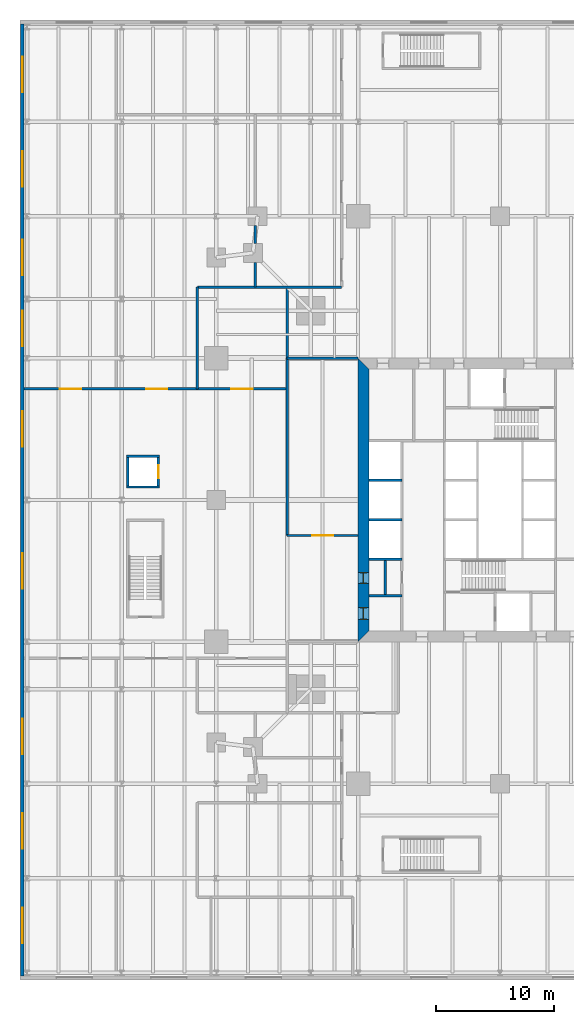
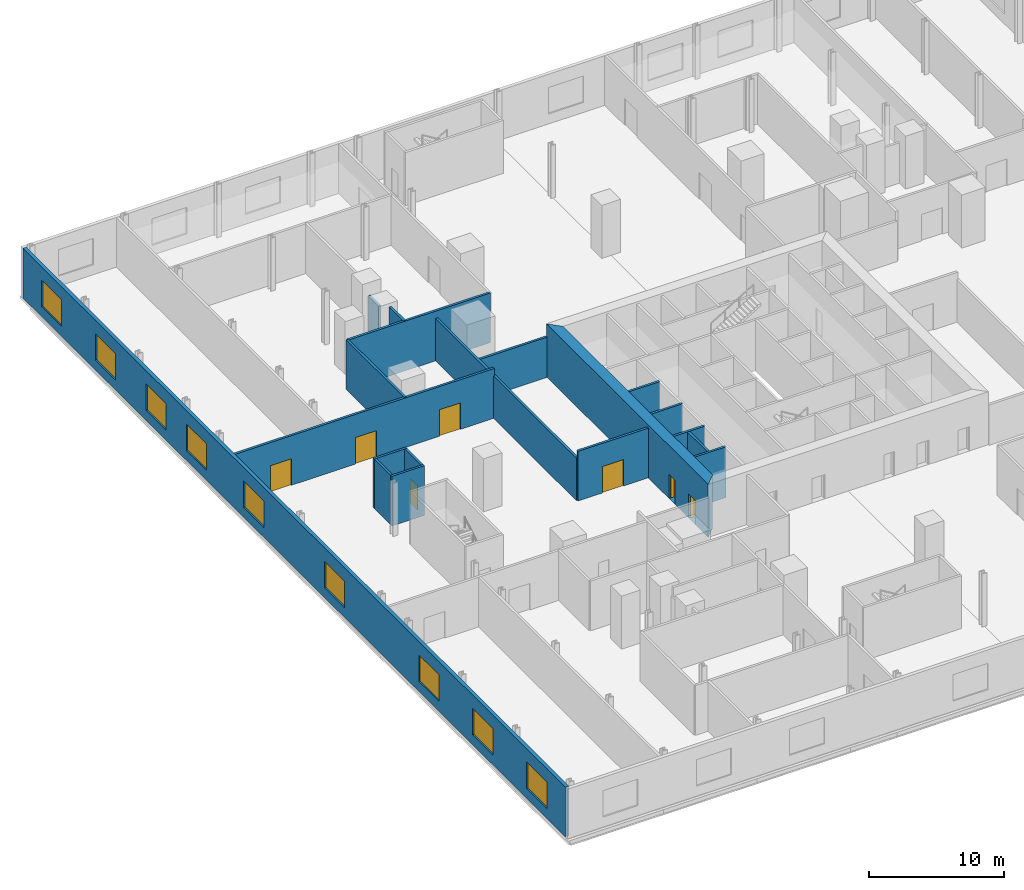
# One storey, part 11 of 16: 19 walls, 9 windows, 7 doors, 16 openings.
"""IFC4 building model written with IfcOpenShell, lengths in metres."""

import ifcopenshell
import ifcopenshell.guid

model = None  # the IFC model being written
_history = None  # IfcOwnerHistory: only IFC2X3 demands one
_inside = {}  # id of a spatial element -> (the spatial element, [elements in it])
_under = {}  # id of a project, library or spatial element -> (it, [spatial elements below it])
_declared = {}  # id of a project -> (the project, [libraries it declares])
_typed = {}  # id of a type object -> (the type object, [elements of that type])
_made_of = {}  # id of a material, layer set ... -> (it, [elements and type objects made of it])


def new_model(schema):
    """Start an empty IFC model of exactly this schema.

    Asked for "IFC4X3", IfcOpenShell would pick the latest addendum, in which some entities
    have other attributes; the version numbers below select the first issue.
    IFC2X3 requires an IfcOwnerHistory on every rooted entity: one is made here for all.
    """
    global model, _history
    if schema == "IFC4X3":
        model = ifcopenshell.file(schema_version=(4, 3, 0, 0))
    else:
        model = ifcopenshell.file(schema=schema)
    _inside.clear()
    _under.clear()
    _declared.clear()
    _typed.clear()
    _made_of.clear()
    _history = None
    if model.schema == "IFC2X3":
        org = make("IfcOrganization", Name="unknown")
        user = make(
            "IfcPersonAndOrganization",
            ThePerson=make("IfcPerson", FamilyName="unknown"),
            TheOrganization=org,
        )
        app = make(
            "IfcApplication",
            ApplicationDeveloper=org,
            Version="unknown",
            ApplicationFullName="unknown",
            ApplicationIdentifier="unknown",
        )
        _history = make(
            "IfcOwnerHistory",
            OwningUser=user,
            OwningApplication=app,
            ChangeAction="ADDED",
            CreationDate=0,
        )
    return model


def make(cls, **values):
    """One entity of the class cls with the attributes given. An attribute that is None is left unset."""
    return model.create_entity(
        cls, **{name: value for name, value in values.items() if value is not None}
    )


def rooted(cls, **values):
    """An entity with a GlobalId (a new one), such as an element, a storey or a relation."""
    return make(cls, GlobalId=ifcopenshell.guid.new(), OwnerHistory=_history, **values)


def si_unit(unit_type, name, prefix=None):
    """IfcSIUnit, for example si_unit("LENGTHUNIT", "METRE", prefix="MILLI")."""
    return make("IfcSIUnit", UnitType=unit_type, Prefix=prefix, Name=name)


def assignment(units):
    """IfcUnitAssignment: the units of a project."""
    return None if units is None else make("IfcUnitAssignment", Units=units)


def point(xyz):
    """IfcCartesianPoint."""
    return None if xyz is None else make("IfcCartesianPoint", Coordinates=xyz)


def direction(xyz):
    """IfcDirection."""
    return None if xyz is None else make("IfcDirection", DirectionRatios=xyz)


def frame(location, z_axis=None, x_axis=None):
    """IfcAxis2Placement3D, a coordinate frame: its origin and axes. An axis left out is left unset."""
    return make(
        "IfcAxis2Placement3D",
        Location=point(location),
        Axis=direction(z_axis),
        RefDirection=direction(x_axis),
    )


def frame_2d(location, x_axis=None):
    """IfcAxis2Placement2D, a coordinate frame in the plane: its origin and x axis."""
    return make(
        "IfcAxis2Placement2D", Location=point(location), RefDirection=direction(x_axis)
    )


def origin():
    """The frame at (0, 0, 0) with its axes left unset."""
    return frame((0.0, 0.0, 0.0))


def place(relative_to, where):
    """IfcLocalPlacement: puts the frame where relative to a parent placement (None: the world)."""
    return make(
        "IfcLocalPlacement", PlacementRelTo=relative_to, RelativePlacement=where
    )


def context(
    kind, dimensions, precision=None, world=None, true_north=None, identifier=None
):
    """IfcGeometricRepresentationContext, for example the 3D "Model" context."""
    return make(
        "IfcGeometricRepresentationContext",
        ContextIdentifier=identifier,
        ContextType=kind,
        CoordinateSpaceDimension=dimensions,
        Precision=precision,
        WorldCoordinateSystem=world,
        TrueNorth=true_north,
    )


def subcontext(parent, identifier, kind, view, scale=None):
    """IfcGeometricRepresentationSubContext, for example "Body" below "Model"."""
    return make(
        "IfcGeometricRepresentationSubContext",
        ContextIdentifier=identifier,
        ContextType=kind,
        ParentContext=parent,
        TargetScale=scale,
        TargetView=view,
    )


def project(units=None, contexts=None):
    """IfcProject with its units and contexts."""
    return rooted(
        "IfcProject",
        Name="project",
        RepresentationContexts=contexts,
        UnitsInContext=assignment(units),
    )


def spatial(cls, under=None, at=None, **own):
    """A site, building, storey or space (cls), placed at a placement, below another one or the project."""
    s = rooted(cls, ObjectPlacement=at, **own)
    if under is not None:
        _under.setdefault(under.id(), (under, []))[1].append(s)
    return s


def polyline(points):
    """IfcPolyline through the points."""
    return make("IfcPolyline", Points=[point(p) for p in points])


def profile(cls, at=None, kind="AREA", **sizes):
    """A parametric profile (cls). Its sizes go by their IFC names, for example OverallWidth=200.0."""
    return make(cls, ProfileType=kind, Position=at, **sizes)


def rectangle(**sizes):
    """IfcRectangleProfileDef."""
    return profile("IfcRectangleProfileDef", **sizes)


def outline(outer, holes=None, kind="AREA"):
    """IfcArbitraryClosedProfileDef: a profile drawn as a closed curve; with holes, ...WithVoids."""
    if holes is None:
        return make("IfcArbitraryClosedProfileDef", ProfileType=kind, OuterCurve=outer)
    return make(
        "IfcArbitraryProfileDefWithVoids",
        ProfileType=kind,
        OuterCurve=outer,
        InnerCurves=holes,
    )


def extrude(swept, where, along, depth):
    """IfcExtrudedAreaSolid: the profile swept, set in the frame where, extruded along a direction by depth."""
    return make(
        "IfcExtrudedAreaSolid",
        SweptArea=swept,
        Position=where,
        ExtrudedDirection=direction(along),
        Depth=depth,
    )


def shape(context_of_items, identifier, shape_type, items):
    """IfcShapeRepresentation: the items that make up one representation, for example the "Body"."""
    return make(
        "IfcShapeRepresentation",
        ContextOfItems=context_of_items,
        RepresentationIdentifier=identifier,
        RepresentationType=shape_type,
        Items=items,
    )


def material(Name=None, Category=None):
    """IfcMaterial."""
    return make("IfcMaterial", Name=Name, Category=Category)


def layer(
    of_material, thickness, ventilated=None, Name=None, Category=None, Priority=None
):
    """IfcMaterialLayer: one layer of a wall or slab, of a material (None: an air gap)."""
    return make(
        "IfcMaterialLayer",
        Material=of_material,
        LayerThickness=thickness,
        IsVentilated=ventilated,
        Name=Name,
        Category=Category,
        Priority=Priority,
    )


def layer_set(layers, Name=None):
    """IfcMaterialLayerSet."""
    return make("IfcMaterialLayerSet", MaterialLayers=layers, LayerSetName=Name)


def made_of(thing, what):
    """Note that an element or type object is made of a material, layer set ...; save() writes the relation."""
    if what is not None:
        _made_of.setdefault(what.id(), (what, []))[1].append(thing)
    return thing


def type_object(cls, material=None, **own):
    """A type object (cls), such as IfcWallType, which elements share."""
    return made_of(rooted(cls, **own), material)


def element(
    cls,
    number,
    at=None,
    inside=None,
    cuts=None,
    type_object=None,
    material=None,
    context=None,
    identifier="Body",
    shape_type=None,
    held_by="IfcProductDefinitionShape",
    body=None,
    shapes=None,
    **own,
):
    """One element of the class cls, such as IfcWall. Its Tag is "e" and its number.

    at: its placement. inside: the storey or other place that contains it. cuts: it is an
    opening in that element (IfcRelVoidsElement). A single representation is given by context,
    identifier, shape_type and body (its items); several are given by shapes. held_by: the class
    of the entity that holds the representations. save() writes the other relations.
    """
    e = rooted(cls, Tag="e%d" % number, ObjectPlacement=at, **own)
    if body is not None:
        shapes = [shape(context, identifier, shape_type, body)]
    if shapes is not None:
        e.Representation = make(held_by, Representations=shapes)
    if inside is not None:
        _inside.setdefault(inside.id(), (inside, []))[1].append(e)
    if cuts is not None:
        rooted(
            "IfcRelVoidsElement", RelatingBuildingElement=cuts, RelatedOpeningElement=e
        )
    if type_object is not None:
        _typed.setdefault(type_object.id(), (type_object, []))[1].append(e)
    return made_of(e, material)


def fill(opening, filler):
    """IfcRelFillsElement: the door or window that sits in an opening."""
    return rooted(
        "IfcRelFillsElement",
        RelatingOpeningElement=opening,
        RelatedBuildingElement=filler,
    )


def aggregate(whole, parts):
    """IfcRelAggregates: a whole, such as a stair, and the parts it consists of."""
    return rooted("IfcRelAggregates", RelatingObject=whole, RelatedObjects=parts)


def save(model, path):
    """Write the relations noted so far, then the file.

    IfcRelAggregates (storeys below a building ...), IfcRelContainedInSpatialStructure (elements
    in a storey), IfcRelDefinesByType, IfcRelAssociatesMaterial and IfcRelDeclares: one each for
    every whole, place, type object, material and project.
    """
    for whole, parts in _under.values():
        aggregate(whole, parts)
    for where, things in _inside.values():
        rooted(
            "IfcRelContainedInSpatialStructure",
            RelatedElements=things,
            RelatingStructure=where,
        )
    for kind, things in _typed.values():
        rooted("IfcRelDefinesByType", RelatedObjects=things, RelatingType=kind)
    for what, things in _made_of.values():
        rooted("IfcRelAssociatesMaterial", RelatedObjects=things, RelatingMaterial=what)
    for by, libraries in _declared.values():
        rooted("IfcRelDeclares", RelatingContext=by, RelatedDefinitions=libraries)
    model.write(path)


model = new_model("IFC4")

# Units and contexts
model_context = context("Model", 3, precision=1e-05, world=origin(), true_north=direction((0.0, 1.0)))
body_context = subcontext(model_context, "Body", "Model", "MODEL_VIEW")
ifc_project = project(units=[si_unit("LENGTHUNIT", "METRE"), si_unit("AREAUNIT", "SQUARE_METRE"), si_unit("VOLUMEUNIT", "CUBIC_METRE"), si_unit("PLANEANGLEUNIT", "RADIAN"), si_unit("MASSUNIT", "GRAM", prefix="KILO")], contexts=[model_context])

# Site, building, storey
site_placement = place(None, origin())
site = spatial("IfcSite", under=ifc_project, at=site_placement, CompositionType="ELEMENT")
building_placement = place(site_placement, origin())
building = spatial("IfcBuilding", under=site, at=building_placement, Name="Fenwick Lantern Interchange", CompositionType="ELEMENT")
storey_placement = place(building_placement, frame((0.0, 0.0, 7.0)))
storey = spatial("IfcBuildingStorey", under=building, at=storey_placement, Name="L01", CompositionType="ELEMENT", Elevation=7.0)

# Walls
ifc_material_1 = material(Name="Concrete masonry ASTM C90 Grade N", Category="masonry")
ifc_layer_1 = layer(ifc_material_1, 0.199951171875)
ifc_layer_set_1 = layer_set([ifc_layer_1], Name="Concrete masonry ASTM C90 Grade N")
wall_type_1 = type_object("IfcWallType", Name="CORE PARTITION 200", PredefinedType="PARTITIONING", material=ifc_layer_set_1)
for number, where, z_axis, x_axis, name in (
    (1, (13.89990234375, 20.0, 0.0), (0.0, 0.0, 1.0), (1.0, 0.0, 0.0), "L01/W/CORES/c2"),
    (2, (13.89990234375, 23.333251953125, 0.0), (0.0, 0.0, 1.0), (1.0, 0.0, 0.0), "L01/W/CORES/d1"),
    (3, (13.89990234375, 26.666748046875, 0.0), (0.0, 0.0, 1.0), (1.0, 0.0, 0.0), "L01/W/CORES/d2"),
    (4, (13.89990234375, 16.89990234375, 0.0), (0.0, 0.0, 1.0), (1.0, 0.0, 0.0), "L01/W/CORES/p1"),
):
    element("IfcWall", number, at=place(storey_placement, frame(where, z_axis=z_axis, x_axis=x_axis)), inside=storey, type_object=wall_type_1, Name=name, PredefinedType="PARTITIONING", context=body_context, shape_type="SweptSolid", body=[
        extrude(rectangle(XDim=2.800048828125, YDim=0.199951171875, at=frame_2d((1.39990234375, 0.0))), origin(), (0.0, 0.0, 1.0), 4.60009765625),
    ])
wall_1_placement = place(storey_placement, frame((15.300048828125, 16.89990234375, 0.0), z_axis=(0.0, 0.0, 1.0), x_axis=(0.0, 1.0, 0.0)))
element("IfcWall", 5, at=wall_1_placement, inside=storey, type_object=wall_type_1, Name="L01/W/CORES/px", PredefinedType="PARTITIONING", context=body_context, shape_type="SweptSolid", body=[
    extrude(rectangle(XDim=3.10009765625, YDim=0.199951171875, at=frame_2d((1.550048828125, 0.0))), origin(), (0.0, 0.0, 1.0), 4.60009765625),
])

# Wall, openings, doors
ifc_material_2 = material(Name="Concrete f'c 70 MPa", Category="concrete")
ifc_layer_2 = layer(ifc_material_2, 0.89990234375)
ifc_layer_set_2 = layer_set([ifc_layer_2], Name="CORE WALL 900")
wall_type_2 = type_object("IfcWallType", Name="CORE WALL 900", PredefinedType="SHEAR", material=ifc_layer_set_2)
wall_2_placement = place(storey_placement, frame((13.449951171875, 36.10009765625, 0.0), z_axis=(0.0, 0.0, 1.0), x_axis=(0.0, -1.0, 0.0)))
wall_2 = element("IfcWall", 6, at=wall_2_placement, inside=storey, type_object=wall_type_2, Name="L01/CORE/W", PredefinedType="SHEAR", context=body_context, shape_type="SweptSolid", body=[
    extrude(outline(polyline([(-0.89990234375, -0.449951171875), (23.10009765625, -0.449951171875), (22.199951171875, 0.449951171875), (0.0, 0.449951171875), (-0.89990234375, -0.449951171875)])), origin(), (0.0, 0.0, 1.0), 4.800048828125),
])
opening_1_placement = place(wall_2_placement, frame((20.199951171875, 0.0, 0.0)))
opening_1 = element("IfcOpeningElement", 7, at=opening_1_placement, cuts=wall_2, Name="Opening L01-D007", PredefinedType="OPENING", context=body_context, shape_type="SweptSolid", body=[
    extrude(rectangle(XDim=1.0, YDim=2.199951171875, at=frame_2d((0.5, 1.10009765625))), frame((0.0, 0.4599609375, 0.0), z_axis=(0.0, -1.0, 0.0), x_axis=(1.0, 0.0, 0.0)), (0.0, 0.0, 1.0), 0.919921875),
])
opening_2_placement = place(wall_2_placement, frame((17.25, 0.0, 0.0)))
opening_2 = element("IfcOpeningElement", 8, at=opening_2_placement, cuts=wall_2, Name="Opening L01-D009", PredefinedType="OPENING", context=body_context, shape_type="SweptSolid", body=[
    extrude(rectangle(XDim=0.89990234375, YDim=2.199951171875, at=frame_2d((0.449951171875, 1.10009765625))), frame((0.0, 0.4599609375, 0.0), z_axis=(0.0, -1.0, 0.0), x_axis=(1.0, 0.0, 0.0)), (0.0, 0.0, 1.0), 0.919921875),
])
ifc_material_3 = material(Name="Steel door and frame", Category="steel")
door_type_1 = type_object("IfcDoorType", Name="SERVICE DOOR 900 X 2200", OperationType="SINGLE_SWING_LEFT", PredefinedType="DOOR", material=ifc_material_3)
door_1_placement = place(opening_2_placement, origin())
door_1 = element("IfcDoor", 9, at=door_1_placement, inside=storey, type_object=door_type_1, Name="Service door", OperationType="SINGLE_SWING_RIGHT", OverallHeight=2.199951171875, OverallWidth=0.89990234375, PredefinedType="DOOR", context=body_context, shape_type="SweptSolid", body=[
    extrude(rectangle(XDim=0.89990234375, YDim=2.199951171875, at=frame_2d((0.449951171875, 1.10009765625))), frame((0.0, 0.02490234375, 0.0), z_axis=(0.0, -1.0, 0.0), x_axis=(1.0, 0.0, 0.0)), (0.0, 0.0, 1.0), 0.050048828125),
    extrude(outline(polyline([(0.0, 0.0), (0.0400390625, 0.0), (0.0400390625, 2.159912109375), (0.85986328125, 2.159912109375), (0.85986328125, 0.0), (0.89990234375, 0.0), (0.89990234375, 2.199951171875), (0.0, 2.199951171875), (0.0, 0.0)])), frame((0.0, 0.300048828125, 0.0), z_axis=(0.0, -1.0, 0.0), x_axis=(1.0, 0.0, 0.0)), (0.0, 0.0, 1.0), 0.60009765625),
])
fill(opening_2, door_1)
ifc_material_4 = material(Name="Hardwood door and steel frame", Category="steel")
door_type_2 = type_object("IfcDoorType", Name="WC DOOR 1000 X 2200", OperationType="SINGLE_SWING_LEFT", PredefinedType="DOOR", material=ifc_material_4)
door_2_placement = place(opening_1_placement, origin())
door_2 = element("IfcDoor", 10, at=door_2_placement, inside=storey, type_object=door_type_2, Name="Wc door", OperationType="SINGLE_SWING_LEFT", OverallHeight=2.199951171875, OverallWidth=1.0, PredefinedType="DOOR", context=body_context, shape_type="SweptSolid", body=[
    extrude(rectangle(XDim=1.0, YDim=2.199951171875, at=frame_2d((0.5, 1.10009765625))), frame((0.0, 0.02490234375, 0.0), z_axis=(0.0, -1.0, 0.0), x_axis=(1.0, 0.0, 0.0)), (0.0, 0.0, 1.0), 0.050048828125),
    extrude(outline(polyline([(0.0, 0.0), (0.0400390625, 0.0), (0.0400390625, 2.159912109375), (0.9599609375, 2.159912109375), (0.9599609375, 0.0), (1.0, 0.0), (1.0, 2.199951171875), (0.0, 2.199951171875), (0.0, 0.0)])), frame((0.0, 0.300048828125, 0.0), z_axis=(0.0, -1.0, 0.0), x_axis=(1.0, 0.0, 0.0)), (0.0, 0.0, 1.0), 0.60009765625),
])
fill(opening_1, door_2)

# Wall
ifc_layer_3 = layer(ifc_material_1, 0.199951171875)
ifc_layer_set_3 = layer_set([ifc_layer_3], Name="Concrete masonry ASTM C90 Grade N")
wall_type_3 = type_object("IfcWallType", Name="LIFT SHAFT WALL 200", PredefinedType="PARTITIONING", material=ifc_layer_set_3)
wall_3_placement = place(storey_placement, frame((-6.60009765625, 26.10009765625, 0.0), z_axis=(0.0, 0.0, 1.0), x_axis=(1.0, 0.0, 0.0)))
element("IfcWall", 11, at=wall_3_placement, inside=storey, type_object=wall_type_3, Name="L01/W/PL1/S", PredefinedType="PARTITIONING", context=body_context, shape_type="SweptSolid", body=[
    extrude(rectangle(XDim=2.800048828125, YDim=0.199951171875, at=frame_2d((1.39990234375, 0.0))), origin(), (0.0, 0.0, 1.0), 4.5),
])

# Wall, opening, door
wall_4_placement = place(storey_placement, frame((-3.89990234375, 26.199951171875, 0.0), z_axis=(0.0, 0.0, 1.0), x_axis=(0.0, 1.0, 0.0)))
wall_4 = element("IfcWall", 12, at=wall_4_placement, inside=storey, type_object=wall_type_3, Name="L01/W/PL1/E", PredefinedType="PARTITIONING", context=body_context, shape_type="SweptSolid", body=[
    extrude(rectangle(XDim=2.400146484375, YDim=0.199951171875, at=frame_2d((1.2001953125, 0.0))), origin(), (0.0, 0.0, 1.0), 4.5),
])
opening_3_placement = place(wall_4_placement, frame((0.64990234375, 0.0, 0.0)))
opening_3 = element("IfcOpeningElement", 13, at=opening_3_placement, cuts=wall_4, Name="Opening LD-PL1", PredefinedType="OPENING", context=body_context, shape_type="SweptSolid", body=[
    extrude(rectangle(XDim=1.10009765625, YDim=2.199951171875, at=frame_2d((0.550048828125, 1.10009765625))), frame((0.0, 0.10986328125, 0.0), z_axis=(0.0, -1.0, 0.0), x_axis=(1.0, 0.0, 0.0)), (0.0, 0.0, 1.0), 0.219970703125),
])
door_type_3 = type_object("IfcDoorType", Name="LIFT LANDING DOOR 1100 X 2200", OperationType="DOUBLE_DOOR_SLIDING", PredefinedType="DOOR", material=ifc_material_3)
door_3_placement = place(opening_3_placement, origin())
door_3 = element("IfcDoor", 14, at=door_3_placement, inside=storey, type_object=door_type_3, Name="Lift landing door PL1", OperationType="DOUBLE_DOOR_SLIDING", OverallHeight=2.199951171875, OverallWidth=1.10009765625, PredefinedType="DOOR", context=body_context, shape_type="SweptSolid", body=[
    extrude(rectangle(XDim=1.10009765625, YDim=2.199951171875, at=frame_2d((0.550048828125, 1.10009765625))), frame((0.0, 0.02490234375, 0.0), z_axis=(0.0, -1.0, 0.0), x_axis=(1.0, 0.0, 0.0)), (0.0, 0.0, 1.0), 0.050048828125),
])
fill(opening_3, door_3)

# Walls
wall_5_placement = place(storey_placement, frame((-3.800048828125, 28.699951171875, 0.0), z_axis=(0.0, 0.0, 1.0), x_axis=(-1.0, 0.0, 0.0)))
element("IfcWall", 15, at=wall_5_placement, inside=storey, type_object=wall_type_3, Name="L01/W/PL1/N", PredefinedType="PARTITIONING", context=body_context, shape_type="SweptSolid", body=[
    extrude(rectangle(XDim=2.800048828125, YDim=0.199951171875, at=frame_2d((1.39990234375, 0.0))), origin(), (0.0, 0.0, 1.0), 4.5),
])
wall_6_placement = place(storey_placement, frame((-6.5, 28.60009765625, 0.0), z_axis=(0.0, 0.0, 1.0), x_axis=(0.0, -1.0, 0.0)))
element("IfcWall", 16, at=wall_6_placement, inside=storey, type_object=wall_type_3, Name="L01/W/PL1/W", PredefinedType="PARTITIONING", context=body_context, shape_type="SweptSolid", body=[
    extrude(rectangle(XDim=2.400146484375, YDim=0.199951171875, at=frame_2d((1.2001953125, 0.0))), origin(), (0.0, 0.0, 1.0), 4.5),
])

# Wall, openings, windows
ifc_material_5 = material(Name="Limestone ASTM C568 Classification II", Category="masonry")
ifc_layer_4 = layer(ifc_material_5, 0.074951171875)
ifc_material_6 = material(Name="Mineral wool insulation")
ifc_layer_5 = layer(ifc_material_6, 0.125)
ifc_material_7 = material(Name="Cold-formed galvanised steel studs", Category="steel")
ifc_layer_6 = layer(ifc_material_7, 0.10009765625)
ifc_layer_set_4 = layer_set([ifc_layer_4, ifc_layer_5, ifc_layer_6], Name="Limestone ASTM C568 Classification II")
wall_type_4 = type_object("IfcWallType", Name="LIMESTONE RAINSCREEN WALL 300", PredefinedType="SOLIDWALL", material=ifc_layer_set_4)
wall_7_placement = place(storey_placement, frame((-15.39990234375, 65.25, 0.0), z_axis=(0.0, 0.0, 1.0), x_axis=(0.0, -1.0, 0.0)))
wall_7 = element("IfcWall", 17, at=wall_7_placement, inside=storey, type_object=wall_type_4, Name="L01/EW/W", PredefinedType="SOLIDWALL", context=body_context, shape_type="SweptSolid", body=[
    extrude(rectangle(XDim=80.5, YDim=0.300048828125, at=frame_2d((40.25, 0.0))), origin(), (0.0, 0.0, 1.0), 4.5),
])
opening_4_placement = place(wall_7_placement, frame((74.75, 0.0, 0.89990234375)))
opening_4 = element("IfcOpeningElement", 18, at=opening_4_placement, cuts=wall_7, Name="Opening W1", PredefinedType="OPENING", context=body_context, shape_type="SweptSolid", body=[
    extrude(rectangle(XDim=3.0, YDim=2.39990234375, at=frame_2d((1.5, 1.199951171875))), frame((0.0, 0.159912109375, 0.0), z_axis=(0.0, -1.0, 0.0), x_axis=(1.0, 0.0, 0.0)), (0.0, 0.0, 1.0), 0.320068359375),
])
opening_5_placement = place(wall_7_placement, frame((66.75, 0.0, 0.89990234375)))
opening_5 = element("IfcOpeningElement", 19, at=opening_5_placement, cuts=wall_7, Name="Opening W1", PredefinedType="OPENING", context=body_context, shape_type="SweptSolid", body=[
    extrude(rectangle(XDim=3.0, YDim=2.39990234375, at=frame_2d((1.5, 1.199951171875))), frame((0.0, 0.159912109375, 0.0), z_axis=(0.0, -1.0, 0.0), x_axis=(1.0, 0.0, 0.0)), (0.0, 0.0, 1.0), 0.320068359375),
])
opening_6_placement = place(wall_7_placement, frame((58.75, 0.0, 0.89990234375)))
opening_6 = element("IfcOpeningElement", 20, at=opening_6_placement, cuts=wall_7, Name="Opening W1", PredefinedType="OPENING", context=body_context, shape_type="SweptSolid", body=[
    extrude(rectangle(XDim=3.0, YDim=2.39990234375, at=frame_2d((1.5, 1.199951171875))), frame((0.0, 0.159912109375, 0.0), z_axis=(0.0, -1.0, 0.0), x_axis=(1.0, 0.0, 0.0)), (0.0, 0.0, 1.0), 0.320068359375),
])
opening_7_placement = place(wall_7_placement, frame((44.75, 0.0, 0.89990234375)))
opening_7 = element("IfcOpeningElement", 21, at=opening_7_placement, cuts=wall_7, Name="Opening W1", PredefinedType="OPENING", context=body_context, shape_type="SweptSolid", body=[
    extrude(rectangle(XDim=3.0, YDim=2.39990234375, at=frame_2d((1.5, 1.199951171875))), frame((0.0, 0.159912109375, 0.0), z_axis=(0.0, -1.0, 0.0), x_axis=(1.0, 0.0, 0.0)), (0.0, 0.0, 1.0), 0.320068359375),
])
opening_8_placement = place(wall_7_placement, frame((32.75, 0.0, 0.89990234375)))
opening_8 = element("IfcOpeningElement", 22, at=opening_8_placement, cuts=wall_7, Name="Opening W1", PredefinedType="OPENING", context=body_context, shape_type="SweptSolid", body=[
    extrude(rectangle(XDim=3.0, YDim=2.39990234375, at=frame_2d((1.5, 1.199951171875))), frame((0.0, 0.159912109375, 0.0), z_axis=(0.0, -1.0, 0.0), x_axis=(1.0, 0.0, 0.0)), (0.0, 0.0, 1.0), 0.320068359375),
])
opening_9_placement = place(wall_7_placement, frame((24.25, 0.0, 0.89990234375)))
opening_9 = element("IfcOpeningElement", 23, at=opening_9_placement, cuts=wall_7, Name="Opening W1", PredefinedType="OPENING", context=body_context, shape_type="SweptSolid", body=[
    extrude(rectangle(XDim=3.0, YDim=2.39990234375, at=frame_2d((1.5, 1.199951171875))), frame((0.0, 0.159912109375, 0.0), z_axis=(0.0, -1.0, 0.0), x_axis=(1.0, 0.0, 0.0)), (0.0, 0.0, 1.0), 0.320068359375),
])
opening_10_placement = place(wall_7_placement, frame((18.25, 0.0, 0.89990234375)))
opening_10 = element("IfcOpeningElement", 24, at=opening_10_placement, cuts=wall_7, Name="Opening W1", PredefinedType="OPENING", context=body_context, shape_type="SweptSolid", body=[
    extrude(rectangle(XDim=3.0, YDim=2.39990234375, at=frame_2d((1.5, 1.199951171875))), frame((0.0, 0.159912109375, 0.0), z_axis=(0.0, -1.0, 0.0), x_axis=(1.0, 0.0, 0.0)), (0.0, 0.0, 1.0), 0.320068359375),
])
opening_11_placement = place(wall_7_placement, frame((10.75, 0.0, 0.89990234375)))
opening_11 = element("IfcOpeningElement", 25, at=opening_11_placement, cuts=wall_7, Name="Opening W1", PredefinedType="OPENING", context=body_context, shape_type="SweptSolid", body=[
    extrude(rectangle(XDim=3.0, YDim=2.39990234375, at=frame_2d((1.5, 1.199951171875))), frame((0.0, 0.159912109375, 0.0), z_axis=(0.0, -1.0, 0.0), x_axis=(1.0, 0.0, 0.0)), (0.0, 0.0, 1.0), 0.320068359375),
])
opening_12_placement = place(wall_7_placement, frame((2.75, 0.0, 0.89990234375)))
opening_12 = element("IfcOpeningElement", 26, at=opening_12_placement, cuts=wall_7, Name="Opening W1", PredefinedType="OPENING", context=body_context, shape_type="SweptSolid", body=[
    extrude(rectangle(XDim=3.0, YDim=2.39990234375, at=frame_2d((1.5, 1.199951171875))), frame((0.0, 0.159912109375, 0.0), z_axis=(0.0, -1.0, 0.0), x_axis=(1.0, 0.0, 0.0)), (0.0, 0.0, 1.0), 0.320068359375),
])
ifc_material_8 = material(Name="Aluminium window, clear glass", Category="aluminium")
window_type = type_object("IfcWindowType", Name="PODIUM WINDOW 3000 X 2400", PartitioningType="SINGLE_PANEL", PredefinedType="WINDOW", material=ifc_material_8)
window_1_placement = place(opening_4_placement, origin())
window_1 = element("IfcWindow", 27, at=window_1_placement, inside=storey, type_object=window_type, Name="Podium window", OverallHeight=2.39990234375, OverallWidth=3.0, PartitioningType="SINGLE_PANEL", PredefinedType="WINDOW", context=body_context, shape_type="SweptSolid", body=[
    extrude(rectangle(XDim=3.0, YDim=2.39990234375, at=frame_2d((1.5, 1.199951171875))), frame((0.0, 0.030029296875, 0.0), z_axis=(0.0, -1.0, 0.0), x_axis=(1.0, 0.0, 0.0)), (0.0, 0.0, 1.0), 0.06005859375),
])
fill(opening_4, window_1)
window_2_placement = place(opening_5_placement, origin())
window_2 = element("IfcWindow", 28, at=window_2_placement, inside=storey, type_object=window_type, Name="Podium window", OverallHeight=2.39990234375, OverallWidth=3.0, PartitioningType="SINGLE_PANEL", PredefinedType="WINDOW", context=body_context, shape_type="SweptSolid", body=[
    extrude(rectangle(XDim=3.0, YDim=2.39990234375, at=frame_2d((1.5, 1.199951171875))), frame((0.0, 0.030029296875, 0.0), z_axis=(0.0, -1.0, 0.0), x_axis=(1.0, 0.0, 0.0)), (0.0, 0.0, 1.0), 0.06005859375),
])
fill(opening_5, window_2)
window_3_placement = place(opening_6_placement, origin())
window_3 = element("IfcWindow", 29, at=window_3_placement, inside=storey, type_object=window_type, Name="Podium window", OverallHeight=2.39990234375, OverallWidth=3.0, PartitioningType="SINGLE_PANEL", PredefinedType="WINDOW", context=body_context, shape_type="SweptSolid", body=[
    extrude(rectangle(XDim=3.0, YDim=2.39990234375, at=frame_2d((1.5, 1.199951171875))), frame((0.0, 0.030029296875, 0.0), z_axis=(0.0, -1.0, 0.0), x_axis=(1.0, 0.0, 0.0)), (0.0, 0.0, 1.0), 0.06005859375),
])
fill(opening_6, window_3)
window_4_placement = place(opening_7_placement, origin())
window_4 = element("IfcWindow", 30, at=window_4_placement, inside=storey, type_object=window_type, Name="Podium window", OverallHeight=2.39990234375, OverallWidth=3.0, PartitioningType="SINGLE_PANEL", PredefinedType="WINDOW", context=body_context, shape_type="SweptSolid", body=[
    extrude(rectangle(XDim=3.0, YDim=2.39990234375, at=frame_2d((1.5, 1.199951171875))), frame((0.0, 0.030029296875, 0.0), z_axis=(0.0, -1.0, 0.0), x_axis=(1.0, 0.0, 0.0)), (0.0, 0.0, 1.0), 0.06005859375),
])
fill(opening_7, window_4)
window_5_placement = place(opening_8_placement, origin())
window_5 = element("IfcWindow", 31, at=window_5_placement, inside=storey, type_object=window_type, Name="Podium window", OverallHeight=2.39990234375, OverallWidth=3.0, PartitioningType="SINGLE_PANEL", PredefinedType="WINDOW", context=body_context, shape_type="SweptSolid", body=[
    extrude(rectangle(XDim=3.0, YDim=2.39990234375, at=frame_2d((1.5, 1.199951171875))), frame((0.0, 0.030029296875, 0.0), z_axis=(0.0, -1.0, 0.0), x_axis=(1.0, 0.0, 0.0)), (0.0, 0.0, 1.0), 0.06005859375),
])
fill(opening_8, window_5)
window_6_placement = place(opening_9_placement, origin())
window_6 = element("IfcWindow", 32, at=window_6_placement, inside=storey, type_object=window_type, Name="Podium window", OverallHeight=2.39990234375, OverallWidth=3.0, PartitioningType="SINGLE_PANEL", PredefinedType="WINDOW", context=body_context, shape_type="SweptSolid", body=[
    extrude(rectangle(XDim=3.0, YDim=2.39990234375, at=frame_2d((1.5, 1.199951171875))), frame((0.0, 0.030029296875, 0.0), z_axis=(0.0, -1.0, 0.0), x_axis=(1.0, 0.0, 0.0)), (0.0, 0.0, 1.0), 0.06005859375),
])
fill(opening_9, window_6)
window_7_placement = place(opening_10_placement, origin())
window_7 = element("IfcWindow", 33, at=window_7_placement, inside=storey, type_object=window_type, Name="Podium window", OverallHeight=2.39990234375, OverallWidth=3.0, PartitioningType="SINGLE_PANEL", PredefinedType="WINDOW", context=body_context, shape_type="SweptSolid", body=[
    extrude(rectangle(XDim=3.0, YDim=2.39990234375, at=frame_2d((1.5, 1.199951171875))), frame((0.0, 0.030029296875, 0.0), z_axis=(0.0, -1.0, 0.0), x_axis=(1.0, 0.0, 0.0)), (0.0, 0.0, 1.0), 0.06005859375),
])
fill(opening_10, window_7)
window_8_placement = place(opening_11_placement, origin())
window_8 = element("IfcWindow", 34, at=window_8_placement, inside=storey, type_object=window_type, Name="Podium window", OverallHeight=2.39990234375, OverallWidth=3.0, PartitioningType="SINGLE_PANEL", PredefinedType="WINDOW", context=body_context, shape_type="SweptSolid", body=[
    extrude(rectangle(XDim=3.0, YDim=2.39990234375, at=frame_2d((1.5, 1.199951171875))), frame((0.0, 0.030029296875, 0.0), z_axis=(0.0, -1.0, 0.0), x_axis=(1.0, 0.0, 0.0)), (0.0, 0.0, 1.0), 0.06005859375),
])
fill(opening_11, window_8)
window_9_placement = place(opening_12_placement, origin())
window_9 = element("IfcWindow", 35, at=window_9_placement, inside=storey, type_object=window_type, Name="Podium window", OverallHeight=2.39990234375, OverallWidth=3.0, PartitioningType="SINGLE_PANEL", PredefinedType="WINDOW", context=body_context, shape_type="SweptSolid", body=[
    extrude(rectangle(XDim=3.0, YDim=2.39990234375, at=frame_2d((1.5, 1.199951171875))), frame((0.0, 0.030029296875, 0.0), z_axis=(0.0, -1.0, 0.0), x_axis=(1.0, 0.0, 0.0)), (0.0, 0.0, 1.0), 0.06005859375),
])
fill(opening_12, window_9)

# Walls
ifc_material_9 = material(Name="Gypsum board on steel studs, 1 hour", Category="steel")
ifc_layer_7 = layer(ifc_material_9, 0.199951171875)
ifc_layer_set_5 = layer_set([ifc_layer_7], Name="ROOM WALL 200")
wall_type_5 = type_object("IfcWallType", Name="ROOM WALL 200", PredefinedType="PARTITIONING", material=ifc_layer_set_5)
wall_8_placement = place(storey_placement, frame((-0.60009765625, 34.39990234375, 0.0), z_axis=(0.0, 0.0, 1.0), x_axis=(0.0, 1.0, 0.0)))
element("IfcWall", 36, at=wall_8_placement, inside=storey, type_object=wall_type_5, Name="L01/W/POD/X-0.6-3", PredefinedType="PARTITIONING", context=body_context, shape_type="SweptSolid", body=[
    extrude(rectangle(XDim=8.60009765625, YDim=0.199951171875, at=frame_2d((4.300048828125, 0.0))), origin(), (0.0, 0.0, 1.0), 4.5),
])
wall_9_placement = place(storey_placement, frame((4.300048828125, 43.0, 0.0), z_axis=(0.0, 0.0, 1.0), x_axis=(0.0, 1.0, 0.0)))
element("IfcWall", 37, at=wall_9_placement, inside=storey, type_object=wall_type_5, Name="L01/W/POD/X4.3-4", PredefinedType="PARTITIONING", context=body_context, shape_type="SweptSolid", body=[
    extrude(rectangle(XDim=2.10009765625, YDim=0.199951171875, at=frame_2d((1.050048828125, 0.0))), origin(), (0.0, 0.0, 1.0), 4.5),
])
wall_10_placement = place(storey_placement, frame((4.300048828125, 46.699951171875, 0.0), z_axis=(0.0, 0.0, 1.0), x_axis=(0.0, 1.0, 0.0)))
element("IfcWall", 38, at=wall_10_placement, inside=storey, type_object=wall_type_5, Name="L01/W/POD/X4.3-5", PredefinedType="PARTITIONING", context=body_context, shape_type="SweptSolid", body=[
    extrude(rectangle(XDim=1.5, YDim=0.199951171875, at=frame_2d((0.75, 0.0))), origin(), (0.0, 0.0, 1.0), 3.650146484375),
])
wall_11_placement = place(storey_placement, frame((7.0, 22.0, 0.0), z_axis=(0.0, 0.0, 1.0), x_axis=(0.0, 1.0, 0.0)))
element("IfcWall", 39, at=wall_11_placement, inside=storey, type_object=wall_type_5, Name="L01/W/POD/X7-2", PredefinedType="PARTITIONING", context=body_context, shape_type="SweptSolid", body=[
    extrude(rectangle(XDim=21.0, YDim=0.199951171875, at=frame_2d((10.5, 0.0))), origin(), (0.0, 0.0, 1.0), 3.843017578125),
])

# Wall, opening, door
wall_12_placement = place(storey_placement, frame((7.0, 22.0, 0.0), z_axis=(0.0, 0.0, 1.0), x_axis=(1.0, 0.0, 0.0)))
wall_12 = element("IfcWall", 40, at=wall_12_placement, inside=storey, type_object=wall_type_5, Name="L01/W/POD/Y22-1", PredefinedType="PARTITIONING", context=body_context, shape_type="SweptSolid", body=[
    extrude(rectangle(XDim=6.0, YDim=0.199951171875, at=frame_2d((3.0, 0.0))), origin(), (0.0, 0.0, 1.0), 4.5),
])
opening_13_placement = place(wall_12_placement, frame((2.099853515625, 0.0, 0.0)))
opening_13 = element("IfcOpeningElement", 41, at=opening_13_placement, cuts=wall_12, Name="Opening L01-D049", PredefinedType="OPENING", context=body_context, shape_type="SweptSolid", body=[
    extrude(rectangle(XDim=1.800048828125, YDim=2.39990234375, at=frame_2d((0.89990234375, 1.199951171875))), frame((0.0, 0.10986328125, 0.0), z_axis=(0.0, -1.0, 0.0), x_axis=(1.0, 0.0, 0.0)), (0.0, 0.0, 1.0), 0.219970703125),
])
door_type_4 = type_object("IfcDoorType", Name="ROOM DOOR PAIR 1800 X 2400", OperationType="DOUBLE_DOOR_SINGLE_SWING", PredefinedType="DOOR", material=ifc_material_3)
door_4_placement = place(opening_13_placement, frame((1.800048828125, 0.0, 0.0), z_axis=(0.0, 0.0, 1.0), x_axis=(-1.0, 0.0, 0.0)))
door_4 = element("IfcDoor", 42, at=door_4_placement, inside=storey, type_object=door_type_4, Name="Room door pair", OperationType="DOUBLE_DOOR_SINGLE_SWING", OverallHeight=2.39990234375, OverallWidth=1.800048828125, PredefinedType="DOOR", context=body_context, shape_type="SweptSolid", body=[
    extrude(rectangle(XDim=1.800048828125, YDim=2.39990234375, at=frame_2d((0.89990234375, 1.199951171875))), frame((0.0, 0.02490234375, 0.0), z_axis=(0.0, -1.0, 0.0), x_axis=(1.0, 0.0, 0.0)), (0.0, 0.0, 1.0), 0.050048828125),
])
fill(opening_13, door_4)

# Wall, openings, doors
wall_13_placement = place(storey_placement, frame((-15.25, 34.39990234375, 0.0), z_axis=(0.0, 0.0, 1.0), x_axis=(1.0, 0.0, 0.0)))
wall_13 = element("IfcWall", 43, at=wall_13_placement, inside=storey, type_object=wall_type_5, Name="L01/W/POD/Y34.4-1", PredefinedType="PARTITIONING", context=body_context, shape_type="SweptSolid", body=[
    extrude(rectangle(XDim=22.25, YDim=0.199951171875, at=frame_2d((11.125, 0.0))), origin(), (0.0, 0.0, 1.0), 4.5),
])
opening_14_placement = place(wall_13_placement, frame((17.52490234375, 0.0, 0.0)))
opening_14 = element("IfcOpeningElement", 44, at=opening_14_placement, cuts=wall_13, Name="Opening L01-D043", PredefinedType="OPENING", context=body_context, shape_type="SweptSolid", body=[
    extrude(rectangle(XDim=1.800048828125, YDim=2.39990234375, at=frame_2d((0.89990234375, 1.199951171875))), frame((0.0, 0.10986328125, 0.0), z_axis=(0.0, -1.0, 0.0), x_axis=(1.0, 0.0, 0.0)), (0.0, 0.0, 1.0), 0.219970703125),
])
opening_15_placement = place(wall_13_placement, frame((10.324951171875, 0.0, 0.0)))
opening_15 = element("IfcOpeningElement", 45, at=opening_15_placement, cuts=wall_13, Name="Opening L01-D044", PredefinedType="OPENING", context=body_context, shape_type="SweptSolid", body=[
    extrude(rectangle(XDim=1.800048828125, YDim=2.39990234375, at=frame_2d((0.89990234375, 1.199951171875))), frame((0.0, 0.10986328125, 0.0), z_axis=(0.0, -1.0, 0.0), x_axis=(1.0, 0.0, 0.0)), (0.0, 0.0, 1.0), 0.219970703125),
])
opening_16_placement = place(wall_13_placement, frame((3.02490234375, 0.0, 0.0)))
opening_16 = element("IfcOpeningElement", 46, at=opening_16_placement, cuts=wall_13, Name="Opening L01-D045", PredefinedType="OPENING", context=body_context, shape_type="SweptSolid", body=[
    extrude(rectangle(XDim=1.800048828125, YDim=2.39990234375, at=frame_2d((0.89990234375, 1.199951171875))), frame((0.0, 0.10986328125, 0.0), z_axis=(0.0, -1.0, 0.0), x_axis=(1.0, 0.0, 0.0)), (0.0, 0.0, 1.0), 0.219970703125),
])
door_5_placement = place(opening_14_placement, frame((1.800048828125, 0.0, 0.0), z_axis=(0.0, 0.0, 1.0), x_axis=(-1.0, 0.0, 0.0)))
door_5 = element("IfcDoor", 47, at=door_5_placement, inside=storey, type_object=door_type_4, Name="Room door pair", OperationType="DOUBLE_DOOR_SINGLE_SWING", OverallHeight=2.39990234375, OverallWidth=1.800048828125, PredefinedType="DOOR", context=body_context, shape_type="SweptSolid", body=[
    extrude(rectangle(XDim=1.800048828125, YDim=2.39990234375, at=frame_2d((0.89990234375, 1.199951171875))), frame((0.0, 0.02490234375, 0.0), z_axis=(0.0, -1.0, 0.0), x_axis=(1.0, 0.0, 0.0)), (0.0, 0.0, 1.0), 0.050048828125),
])
fill(opening_14, door_5)
door_6_placement = place(opening_15_placement, frame((1.800048828125, 0.0, 0.0), z_axis=(0.0, 0.0, 1.0), x_axis=(-1.0, 0.0, 0.0)))
door_6 = element("IfcDoor", 48, at=door_6_placement, inside=storey, type_object=door_type_4, Name="Room door pair", OperationType="DOUBLE_DOOR_SINGLE_SWING", OverallHeight=2.39990234375, OverallWidth=1.800048828125, PredefinedType="DOOR", context=body_context, shape_type="SweptSolid", body=[
    extrude(rectangle(XDim=1.800048828125, YDim=2.39990234375, at=frame_2d((0.89990234375, 1.199951171875))), frame((0.0, 0.02490234375, 0.0), z_axis=(0.0, -1.0, 0.0), x_axis=(1.0, 0.0, 0.0)), (0.0, 0.0, 1.0), 0.050048828125),
])
fill(opening_15, door_6)
door_7_placement = place(opening_16_placement, frame((1.800048828125, 0.0, 0.0), z_axis=(0.0, 0.0, 1.0), x_axis=(-1.0, 0.0, 0.0)))
door_7 = element("IfcDoor", 49, at=door_7_placement, inside=storey, type_object=door_type_4, Name="Room door pair", OperationType="DOUBLE_DOOR_SINGLE_SWING", OverallHeight=2.39990234375, OverallWidth=1.800048828125, PredefinedType="DOOR", context=body_context, shape_type="SweptSolid", body=[
    extrude(rectangle(XDim=1.800048828125, YDim=2.39990234375, at=frame_2d((0.89990234375, 1.199951171875))), frame((0.0, 0.02490234375, 0.0), z_axis=(0.0, -1.0, 0.0), x_axis=(1.0, 0.0, 0.0)), (0.0, 0.0, 1.0), 0.050048828125),
])
fill(opening_16, door_7)

# Walls
wall_14_placement = place(storey_placement, frame((7.0, 37.0, 0.0), z_axis=(0.0, 0.0, 1.0), x_axis=(1.0, 0.0, 0.0)))
element("IfcWall", 50, at=wall_14_placement, inside=storey, type_object=wall_type_5, Name="L01/W/POD/Y37-1", PredefinedType="PARTITIONING", context=body_context, shape_type="SweptSolid", body=[
    extrude(rectangle(XDim=6.0, YDim=0.199951171875, at=frame_2d((3.0, 0.0))), origin(), (0.0, 0.0, 1.0), 3.652587890625),
])
wall_15_placement = place(storey_placement, frame((-0.60009765625, 43.0, 0.0), z_axis=(0.0, 0.0, 1.0), x_axis=(1.0, 0.0, 0.0)))
element("IfcWall", 51, at=wall_15_placement, inside=storey, type_object=wall_type_5, Name="L01/W/POD/Y43-1", PredefinedType="PARTITIONING", context=body_context, shape_type="SweptSolid", body=[
    extrude(rectangle(XDim=12.2001953125, YDim=0.199951171875, at=frame_2d((6.10009765625, 0.0))), origin(), (0.0, 0.0, 1.0), 4.5),
])

save(model, "model.ifc")
